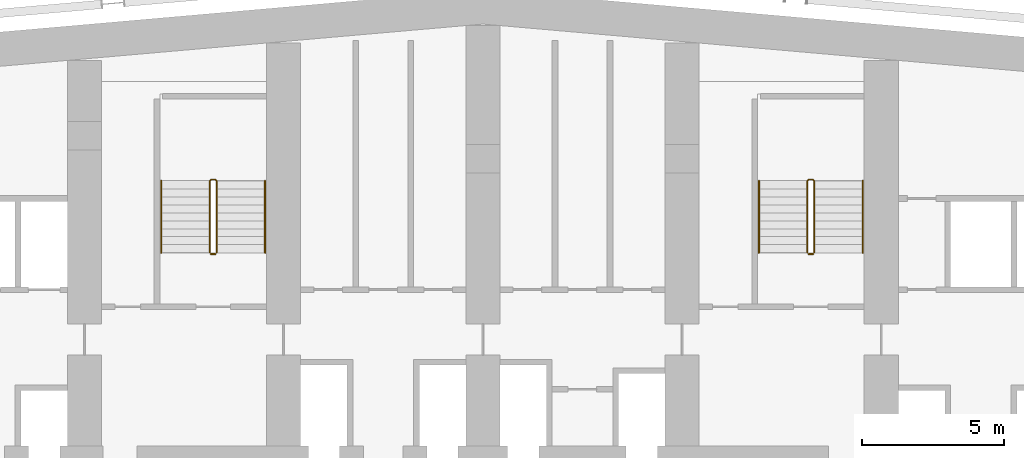
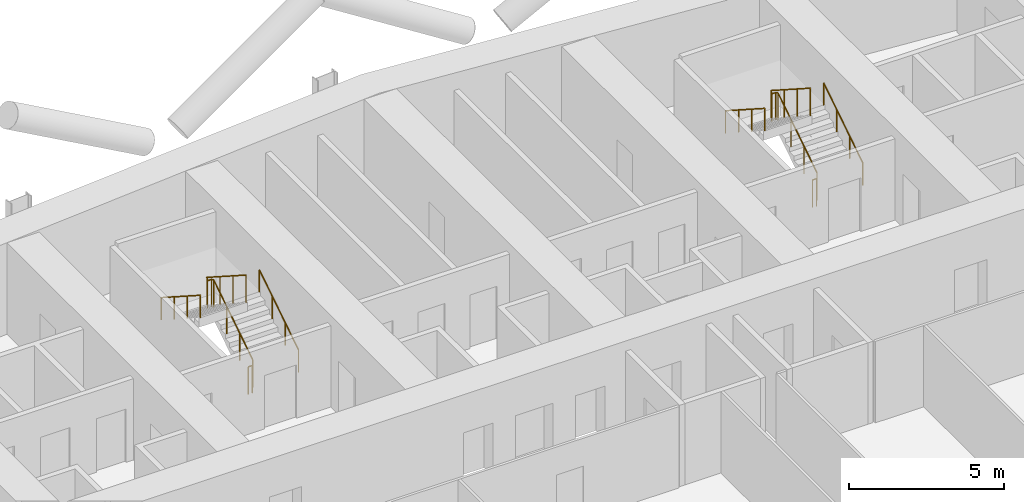
# One storey, part 24 of 25: 8 railings.
"""IFC4 building model written with IfcOpenShell, lengths in metres."""

from ifc_helpers import new_model, si_unit, direction, frame, origin, origin_2d, place, context, subcontext, project, spatial, circle, extrude, material, type_object, element, save


model = new_model("IFC4")

# Units and contexts
model_context = context("Model", 3, precision=1e-05, world=origin(), true_north=direction((0.0, 1.0)))
body_context = subcontext(model_context, "Body", "Model", "MODEL_VIEW")
ifc_project = project(units=[si_unit("LENGTHUNIT", "METRE"), si_unit("AREAUNIT", "SQUARE_METRE"), si_unit("VOLUMEUNIT", "CUBIC_METRE"), si_unit("PLANEANGLEUNIT", "RADIAN"), si_unit("MASSUNIT", "GRAM", prefix="KILO")], contexts=[model_context])

# Site, building, storey
site_placement = place(None, origin())
site = spatial("IfcSite", under=ifc_project, at=site_placement, CompositionType="ELEMENT")
building_placement = place(site_placement, origin())
building = spatial("IfcBuilding", under=site, at=building_placement, Name="Wharfspan Tower", CompositionType="ELEMENT")
storey_placement = place(building_placement, frame((0.0, 0.0, 63.100098)))
storey = spatial("IfcBuildingStorey", under=building, at=storey_placement, Name="L12", CompositionType="ELEMENT", Elevation=63.100098)

# Railings
ifc_material = material(Name="Steel S355J2", Category="steel")
railing_type_1 = type_object("IfcRailingType", Name="Stair guard 1100", PredefinedType="GUARDRAIL", material=ifc_material)
railing_1_placement = place(storey_placement, frame((27.649902, 42.0, 0.179932)))
element("IfcRailing", 1, at=railing_1_placement, inside=storey, type_object=railing_type_1, Name="L12 ST1 stair guard 1", PredefinedType="GUARDRAIL", context=body_context, shape_type="SweptSolid", body=[
    extrude(circle(Radius=0.023926, at=origin_2d()), frame((0.0, 0.0, 1.076172), z_axis=(0.0, 0.8412, 0.540725), x_axis=(-1.0, 0.0, 0.0)), (0.0, 0.0, 1.0), 2.99585),
    extrude(circle(Radius=0.023926, at=origin_2d()), frame((0.0, 2.52002, 2.695801), z_axis=(-0.705376, 0.708834, 0.0), x_axis=(-0.708834, -0.705376, 0.0)), (0.0, 0.0, 1.0), 0.070557),
    extrude(circle(Radius=0.023926, at=origin_2d()), frame((-0.049805, 2.570068, 2.695801), z_axis=(-1.0, 0.0, 0.0), x_axis=(0.0, -1.0, 0.0)), (0.0, 0.0, 1.0), 0.150146),
    extrude(circle(Radius=0.023926, at=origin_2d()), frame((-0.199951, 2.570068, 2.695801), z_axis=(-0.258544, -0.258544, 0.930758), x_axis=(0.707107, -0.707107, 0.0)), (0.0, 0.0, 1.0), 0.193604),
    extrude(circle(Radius=0.023926, at=origin_2d()), frame((-0.25, 2.52002, 2.875977), z_axis=(0.0, -0.8412, 0.540725), x_axis=(1.0, 0.0, 0.0)), (0.0, 0.0, 1.0), 2.99585),
    extrude(circle(Radius=0.020996, at=origin_2d()), origin(), (0.0, 0.0, 1.0), 1.052002),
    extrude(circle(Radius=0.020996, at=origin_2d()), frame((0.0, 0.840088, 0.540039)), (0.0, 0.0, 1.0), 1.052002),
    extrude(circle(Radius=0.020996, at=origin_2d()), frame((0.0, 1.679932, 1.079834)), (0.0, 0.0, 1.0), 1.052002),
    extrude(circle(Radius=0.020996, at=origin_2d()), frame((0.0, 2.52002, 1.619873)), (0.0, 0.0, 1.0), 1.052002),
    extrude(circle(Radius=0.020996, at=origin_2d()), frame((-0.049805, 2.570068, 1.619873)), (0.0, 0.0, 1.0), 1.052002),
    extrude(circle(Radius=0.020996, at=origin_2d()), frame((-0.199951, 2.570068, 1.619873)), (0.0, 0.0, 1.0), 1.052002),
    extrude(circle(Radius=0.020996, at=origin_2d()), frame((-0.25, 2.52002, 1.800049)), (0.0, 0.0, 1.0), 1.052002),
    extrude(circle(Radius=0.020996, at=origin_2d()), frame((-0.25, 1.679932, 2.340088)), (0.0, 0.0, 1.0), 1.052002),
    extrude(circle(Radius=0.020996, at=origin_2d()), frame((-0.25, 0.840088, 2.879883)), (0.0, 0.0, 1.0), 1.052002),
    extrude(circle(Radius=0.020996, at=origin_2d()), frame((-0.25, 0.0, 3.419922)), (0.0, 0.0, 1.0), 1.052002),
])
railing_2_placement = place(storey_placement, frame((27.600098, 41.949951, 0.0)))
element("IfcRailing", 2, at=railing_2_placement, inside=storey, type_object=railing_type_1, Name="L12 ST1 stair guard 2", PredefinedType="GUARDRAIL", context=body_context, shape_type="SweptSolid", body=[
    extrude(circle(Radius=0.023926, at=origin_2d()), frame((0.0, 0.0, 1.076172), z_axis=(-1.0, 0.0, 0.0), x_axis=(0.0, -1.0, 0.0)), (0.0, 0.0, 1.0), 0.150146),
    extrude(circle(Radius=0.020996, at=origin_2d()), origin(), (0.0, 0.0, 1.0), 1.052002),
    extrude(circle(Radius=0.020996, at=origin_2d()), frame((-0.150146, 0.0, 0.0)), (0.0, 0.0, 1.0), 1.052002),
])
railing_3_placement = place(storey_placement, frame((48.649902, 42.0, 0.179932)))
element("IfcRailing", 3, at=railing_3_placement, inside=storey, type_object=railing_type_1, Name="L12 ST2 stair guard 1", PredefinedType="GUARDRAIL", context=body_context, shape_type="SweptSolid", body=[
    extrude(circle(Radius=0.023926, at=origin_2d()), frame((0.0, 0.0, 1.076172), z_axis=(0.0, 0.8412, 0.540725), x_axis=(-1.0, 0.0, 0.0)), (0.0, 0.0, 1.0), 2.99585),
    extrude(circle(Radius=0.023926, at=origin_2d()), frame((0.0, 2.52002, 2.695801), z_axis=(-0.705376, 0.708834, 0.0), x_axis=(-0.708834, -0.705376, 0.0)), (0.0, 0.0, 1.0), 0.070557),
    extrude(circle(Radius=0.023926, at=origin_2d()), frame((-0.049805, 2.570068, 2.695801), z_axis=(-1.0, 0.0, 0.0), x_axis=(0.0, -1.0, 0.0)), (0.0, 0.0, 1.0), 0.150146),
    extrude(circle(Radius=0.023926, at=origin_2d()), frame((-0.199951, 2.570068, 2.695801), z_axis=(-0.258544, -0.258544, 0.930758), x_axis=(0.707107, -0.707107, 0.0)), (0.0, 0.0, 1.0), 0.193604),
    extrude(circle(Radius=0.023926, at=origin_2d()), frame((-0.25, 2.52002, 2.875977), z_axis=(0.0, -0.8412, 0.540725), x_axis=(1.0, 0.0, 0.0)), (0.0, 0.0, 1.0), 2.99585),
    extrude(circle(Radius=0.020996, at=origin_2d()), origin(), (0.0, 0.0, 1.0), 1.052002),
    extrude(circle(Radius=0.020996, at=origin_2d()), frame((0.0, 0.840088, 0.540039)), (0.0, 0.0, 1.0), 1.052002),
    extrude(circle(Radius=0.020996, at=origin_2d()), frame((0.0, 1.679932, 1.079834)), (0.0, 0.0, 1.0), 1.052002),
    extrude(circle(Radius=0.020996, at=origin_2d()), frame((0.0, 2.52002, 1.619873)), (0.0, 0.0, 1.0), 1.052002),
    extrude(circle(Radius=0.020996, at=origin_2d()), frame((-0.049805, 2.570068, 1.619873)), (0.0, 0.0, 1.0), 1.052002),
    extrude(circle(Radius=0.020996, at=origin_2d()), frame((-0.199951, 2.570068, 1.619873)), (0.0, 0.0, 1.0), 1.052002),
    extrude(circle(Radius=0.020996, at=origin_2d()), frame((-0.25, 2.52002, 1.800049)), (0.0, 0.0, 1.0), 1.052002),
    extrude(circle(Radius=0.020996, at=origin_2d()), frame((-0.25, 1.679932, 2.340088)), (0.0, 0.0, 1.0), 1.052002),
    extrude(circle(Radius=0.020996, at=origin_2d()), frame((-0.25, 0.840088, 2.879883)), (0.0, 0.0, 1.0), 1.052002),
    extrude(circle(Radius=0.020996, at=origin_2d()), frame((-0.25, 0.0, 3.419922)), (0.0, 0.0, 1.0), 1.052002),
])
railing_4_placement = place(storey_placement, frame((48.600098, 41.949951, 0.0)))
element("IfcRailing", 4, at=railing_4_placement, inside=storey, type_object=railing_type_1, Name="L12 ST2 stair guard 2", PredefinedType="GUARDRAIL", context=body_context, shape_type="SweptSolid", body=[
    extrude(circle(Radius=0.023926, at=origin_2d()), frame((0.0, 0.0, 1.076172), z_axis=(-1.0, 0.0, 0.0), x_axis=(0.0, -1.0, 0.0)), (0.0, 0.0, 1.0), 0.150146),
    extrude(circle(Radius=0.020996, at=origin_2d()), origin(), (0.0, 0.0, 1.0), 1.052002),
    extrude(circle(Radius=0.020996, at=origin_2d()), frame((-0.150146, 0.0, 0.0)), (0.0, 0.0, 1.0), 1.052002),
])
railing_type_2 = type_object("IfcRailingType", Name="Stair handrail 900", PredefinedType="HANDRAIL", material=ifc_material)
railing_5_placement = place(storey_placement, frame((29.350098, 42.0, 0.179932)))
element("IfcRailing", 5, at=railing_5_placement, inside=storey, type_object=railing_type_2, Name="L12 ST1 stair handrail 1", PredefinedType="HANDRAIL", context=body_context, shape_type="SweptSolid", body=[
    extrude(circle(Radius=0.023926, at=origin_2d()), frame((0.0, 0.0, 0.875977), z_axis=(0.0, 0.8412, 0.540725), x_axis=(-1.0, 0.0, 0.0)), (0.0, 0.0, 1.0), 2.99585),
    extrude(circle(Radius=0.020996, at=origin_2d()), origin(), (0.0, 0.0, 1.0), 0.851807),
    extrude(circle(Radius=0.020996, at=origin_2d()), frame((0.0, 0.840088, 0.540039)), (0.0, 0.0, 1.0), 0.851807),
    extrude(circle(Radius=0.020996, at=origin_2d()), frame((0.0, 1.679932, 1.079834)), (0.0, 0.0, 1.0), 0.851807),
    extrude(circle(Radius=0.020996, at=origin_2d()), frame((0.0, 2.52002, 1.619873)), (0.0, 0.0, 1.0), 0.851807),
])
railing_6_placement = place(storey_placement, frame((25.699951, 44.52002, 1.97998)))
element("IfcRailing", 6, at=railing_6_placement, inside=storey, type_object=railing_type_2, Name="L12 ST1 stair handrail 2", PredefinedType="HANDRAIL", context=body_context, shape_type="SweptSolid", body=[
    extrude(circle(Radius=0.023926, at=origin_2d()), frame((0.0, 0.0, 0.875977), z_axis=(0.0, -0.8412, 0.540725), x_axis=(1.0, 0.0, 0.0)), (0.0, 0.0, 1.0), 2.99585),
    extrude(circle(Radius=0.020996, at=origin_2d()), origin(), (0.0, 0.0, 1.0), 0.851807),
    extrude(circle(Radius=0.020996, at=origin_2d()), frame((0.0, -0.840088, 0.540039)), (0.0, 0.0, 1.0), 0.851807),
    extrude(circle(Radius=0.020996, at=origin_2d()), frame((0.0, -1.679932, 1.079834)), (0.0, 0.0, 1.0), 0.851807),
    extrude(circle(Radius=0.020996, at=origin_2d()), frame((0.0, -2.52002, 1.619873)), (0.0, 0.0, 1.0), 0.851807),
])
railing_7_placement = place(storey_placement, frame((50.350098, 42.0, 0.179932)))
element("IfcRailing", 7, at=railing_7_placement, inside=storey, type_object=railing_type_2, Name="L12 ST2 stair handrail 1", PredefinedType="HANDRAIL", context=body_context, shape_type="SweptSolid", body=[
    extrude(circle(Radius=0.023926, at=origin_2d()), frame((0.0, 0.0, 0.875977), z_axis=(0.0, 0.8412, 0.540725), x_axis=(-1.0, 0.0, 0.0)), (0.0, 0.0, 1.0), 2.99585),
    extrude(circle(Radius=0.020996, at=origin_2d()), origin(), (0.0, 0.0, 1.0), 0.851807),
    extrude(circle(Radius=0.020996, at=origin_2d()), frame((0.0, 0.840088, 0.540039)), (0.0, 0.0, 1.0), 0.851807),
    extrude(circle(Radius=0.020996, at=origin_2d()), frame((0.0, 1.679932, 1.079834)), (0.0, 0.0, 1.0), 0.851807),
    extrude(circle(Radius=0.020996, at=origin_2d()), frame((0.0, 2.52002, 1.619873)), (0.0, 0.0, 1.0), 0.851807),
])
railing_8_placement = place(storey_placement, frame((46.699951, 44.52002, 1.97998)))
element("IfcRailing", 8, at=railing_8_placement, inside=storey, type_object=railing_type_2, Name="L12 ST2 stair handrail 2", PredefinedType="HANDRAIL", context=body_context, shape_type="SweptSolid", body=[
    extrude(circle(Radius=0.023926, at=origin_2d()), frame((0.0, 0.0, 0.875977), z_axis=(0.0, -0.8412, 0.540725), x_axis=(1.0, 0.0, 0.0)), (0.0, 0.0, 1.0), 2.99585),
    extrude(circle(Radius=0.020996, at=origin_2d()), origin(), (0.0, 0.0, 1.0), 0.851807),
    extrude(circle(Radius=0.020996, at=origin_2d()), frame((0.0, -0.840088, 0.540039)), (0.0, 0.0, 1.0), 0.851807),
    extrude(circle(Radius=0.020996, at=origin_2d()), frame((0.0, -1.679932, 1.079834)), (0.0, 0.0, 1.0), 0.851807),
    extrude(circle(Radius=0.020996, at=origin_2d()), frame((0.0, -2.52002, 1.619873)), (0.0, 0.0, 1.0), 0.851807),
])

save(model, "model.ifc")
